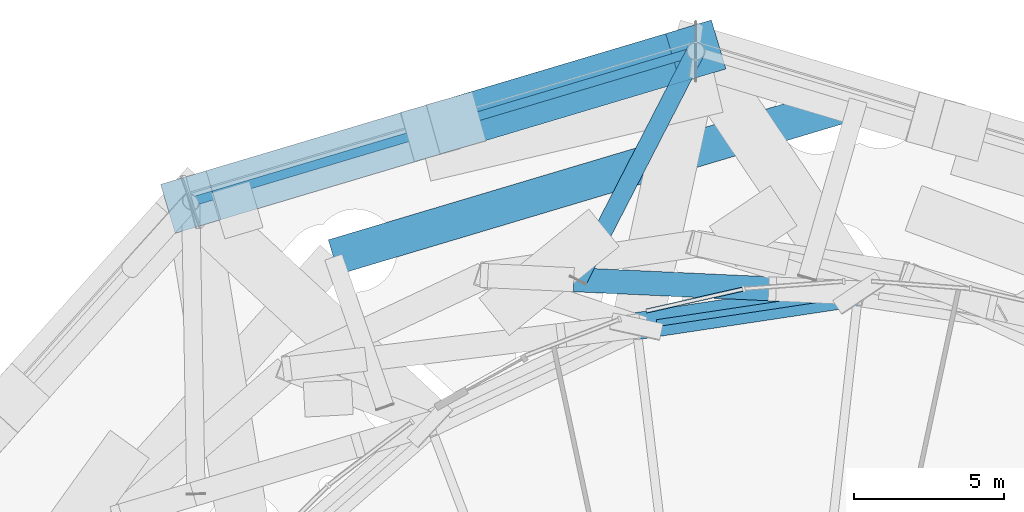
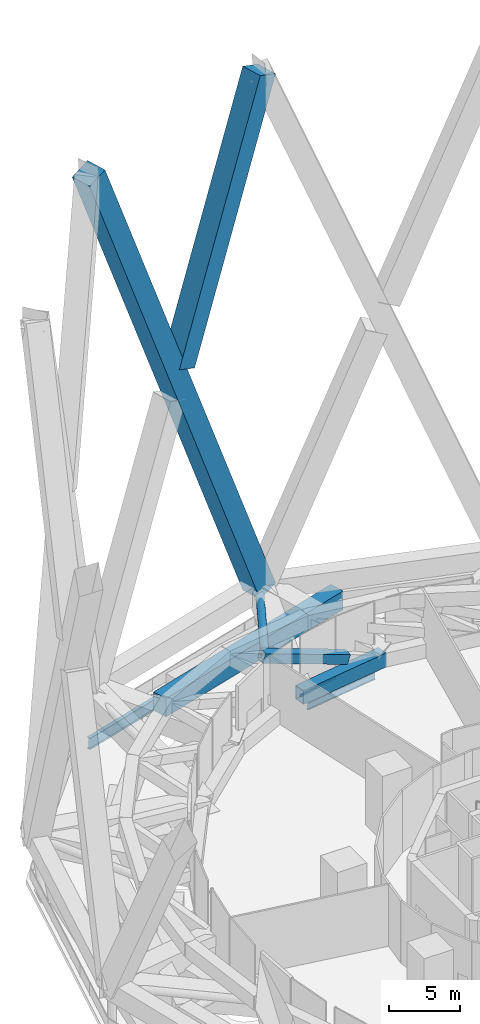
# One storey, part 33 of 51: 5 members, 4 beams, 1 element without a shape of its own.
"""IFC4 building model written with IfcOpenShell, lengths in metres."""

import ifcopenshell
import ifcopenshell.guid

model = None  # the IFC model being written
_history = None  # IfcOwnerHistory: only IFC2X3 demands one
_inside = {}  # id of a spatial element -> (the spatial element, [elements in it])
_under = {}  # id of a project, library or spatial element -> (it, [spatial elements below it])
_declared = {}  # id of a project -> (the project, [libraries it declares])
_typed = {}  # id of a type object -> (the type object, [elements of that type])
_made_of = {}  # id of a material, layer set ... -> (it, [elements and type objects made of it])


def new_model(schema):
    """Start an empty IFC model of exactly this schema.

    Asked for "IFC4X3", IfcOpenShell would pick the latest addendum, in which some entities
    have other attributes; the version numbers below select the first issue.
    IFC2X3 requires an IfcOwnerHistory on every rooted entity: one is made here for all.
    """
    global model, _history
    if schema == "IFC4X3":
        model = ifcopenshell.file(schema_version=(4, 3, 0, 0))
    else:
        model = ifcopenshell.file(schema=schema)
    _inside.clear()
    _under.clear()
    _declared.clear()
    _typed.clear()
    _made_of.clear()
    _history = None
    if model.schema == "IFC2X3":
        org = make("IfcOrganization", Name="unknown")
        user = make(
            "IfcPersonAndOrganization",
            ThePerson=make("IfcPerson", FamilyName="unknown"),
            TheOrganization=org,
        )
        app = make(
            "IfcApplication",
            ApplicationDeveloper=org,
            Version="unknown",
            ApplicationFullName="unknown",
            ApplicationIdentifier="unknown",
        )
        _history = make(
            "IfcOwnerHistory",
            OwningUser=user,
            OwningApplication=app,
            ChangeAction="ADDED",
            CreationDate=0,
        )
    return model


def make(cls, **values):
    """One entity of the class cls with the attributes given. An attribute that is None is left unset."""
    return model.create_entity(
        cls, **{name: value for name, value in values.items() if value is not None}
    )


def rooted(cls, **values):
    """An entity with a GlobalId (a new one), such as an element, a storey or a relation."""
    return make(cls, GlobalId=ifcopenshell.guid.new(), OwnerHistory=_history, **values)


def si_unit(unit_type, name, prefix=None):
    """IfcSIUnit, for example si_unit("LENGTHUNIT", "METRE", prefix="MILLI")."""
    return make("IfcSIUnit", UnitType=unit_type, Prefix=prefix, Name=name)


def assignment(units):
    """IfcUnitAssignment: the units of a project."""
    return None if units is None else make("IfcUnitAssignment", Units=units)


def point(xyz):
    """IfcCartesianPoint."""
    return None if xyz is None else make("IfcCartesianPoint", Coordinates=xyz)


def direction(xyz):
    """IfcDirection."""
    return None if xyz is None else make("IfcDirection", DirectionRatios=xyz)


def frame(location, z_axis=None, x_axis=None):
    """IfcAxis2Placement3D, a coordinate frame: its origin and axes. An axis left out is left unset."""
    return make(
        "IfcAxis2Placement3D",
        Location=point(location),
        Axis=direction(z_axis),
        RefDirection=direction(x_axis),
    )


def frame_2d(location, x_axis=None):
    """IfcAxis2Placement2D, a coordinate frame in the plane: its origin and x axis."""
    return make(
        "IfcAxis2Placement2D", Location=point(location), RefDirection=direction(x_axis)
    )


def origin():
    """The frame at (0, 0, 0) with its axes left unset."""
    return frame((0.0, 0.0, 0.0))


def origin_2d():
    """The frame at (0, 0) in the plane with its x axis left unset."""
    return frame_2d((0.0, 0.0))


def place(relative_to, where):
    """IfcLocalPlacement: puts the frame where relative to a parent placement (None: the world)."""
    return make(
        "IfcLocalPlacement", PlacementRelTo=relative_to, RelativePlacement=where
    )


def context(
    kind, dimensions, precision=None, world=None, true_north=None, identifier=None
):
    """IfcGeometricRepresentationContext, for example the 3D "Model" context."""
    return make(
        "IfcGeometricRepresentationContext",
        ContextIdentifier=identifier,
        ContextType=kind,
        CoordinateSpaceDimension=dimensions,
        Precision=precision,
        WorldCoordinateSystem=world,
        TrueNorth=true_north,
    )


def subcontext(parent, identifier, kind, view, scale=None):
    """IfcGeometricRepresentationSubContext, for example "Body" below "Model"."""
    return make(
        "IfcGeometricRepresentationSubContext",
        ContextIdentifier=identifier,
        ContextType=kind,
        ParentContext=parent,
        TargetScale=scale,
        TargetView=view,
    )


def project(units=None, contexts=None):
    """IfcProject with its units and contexts."""
    return rooted(
        "IfcProject",
        Name="project",
        RepresentationContexts=contexts,
        UnitsInContext=assignment(units),
    )


def spatial(cls, under=None, at=None, **own):
    """A site, building, storey or space (cls), placed at a placement, below another one or the project."""
    s = rooted(cls, ObjectPlacement=at, **own)
    if under is not None:
        _under.setdefault(under.id(), (under, []))[1].append(s)
    return s


def profile(cls, at=None, kind="AREA", **sizes):
    """A parametric profile (cls). Its sizes go by their IFC names, for example OverallWidth=200.0."""
    return make(cls, ProfileType=kind, Position=at, **sizes)


def rectangle(**sizes):
    """IfcRectangleProfileDef."""
    return profile("IfcRectangleProfileDef", **sizes)


def hollow_rectangle(**sizes):
    """IfcRectangleHollowProfileDef."""
    return profile("IfcRectangleHollowProfileDef", **sizes)


def hollow_circle(**sizes):
    """IfcCircleHollowProfileDef."""
    return profile("IfcCircleHollowProfileDef", **sizes)


def i_section(**sizes):
    """IfcIShapeProfileDef."""
    return profile("IfcIShapeProfileDef", **sizes)


def extrude(swept, where, along, depth):
    """IfcExtrudedAreaSolid: the profile swept, set in the frame where, extruded along a direction by depth."""
    return make(
        "IfcExtrudedAreaSolid",
        SweptArea=swept,
        Position=where,
        ExtrudedDirection=direction(along),
        Depth=depth,
    )


def shape(context_of_items, identifier, shape_type, items):
    """IfcShapeRepresentation: the items that make up one representation, for example the "Body"."""
    return make(
        "IfcShapeRepresentation",
        ContextOfItems=context_of_items,
        RepresentationIdentifier=identifier,
        RepresentationType=shape_type,
        Items=items,
    )


def material(Name=None, Category=None):
    """IfcMaterial."""
    return make("IfcMaterial", Name=Name, Category=Category)


def layer(
    of_material, thickness, ventilated=None, Name=None, Category=None, Priority=None
):
    """IfcMaterialLayer: one layer of a wall or slab, of a material (None: an air gap)."""
    return make(
        "IfcMaterialLayer",
        Material=of_material,
        LayerThickness=thickness,
        IsVentilated=ventilated,
        Name=Name,
        Category=Category,
        Priority=Priority,
    )


def layer_set(layers, Name=None):
    """IfcMaterialLayerSet."""
    return make("IfcMaterialLayerSet", MaterialLayers=layers, LayerSetName=Name)


def material_profile(
    of_material, cross_section, Name=None, Category=None, Priority=None
):
    """IfcMaterialProfile: a cross section and its material."""
    return make(
        "IfcMaterialProfile",
        Name=Name,
        Material=of_material,
        Profile=cross_section,
        Priority=Priority,
        Category=Category,
    )


def profile_set(profiles, Name=None, composite=None):
    """IfcMaterialProfileSet."""
    return make(
        "IfcMaterialProfileSet",
        Name=Name,
        MaterialProfiles=profiles,
        CompositeProfile=composite,
    )


def made_of(thing, what):
    """Note that an element or type object is made of a material, layer set ...; save() writes the relation."""
    if what is not None:
        _made_of.setdefault(what.id(), (what, []))[1].append(thing)
    return thing


def type_object(cls, material=None, **own):
    """A type object (cls), such as IfcWallType, which elements share."""
    return made_of(rooted(cls, **own), material)


def element(
    cls,
    number,
    at=None,
    inside=None,
    cuts=None,
    type_object=None,
    material=None,
    context=None,
    identifier="Body",
    shape_type=None,
    held_by="IfcProductDefinitionShape",
    body=None,
    shapes=None,
    **own,
):
    """One element of the class cls, such as IfcWall. Its Tag is "e" and its number.

    at: its placement. inside: the storey or other place that contains it. cuts: it is an
    opening in that element (IfcRelVoidsElement). A single representation is given by context,
    identifier, shape_type and body (its items); several are given by shapes. held_by: the class
    of the entity that holds the representations. save() writes the other relations.
    """
    e = rooted(cls, Tag="e%d" % number, ObjectPlacement=at, **own)
    if body is not None:
        shapes = [shape(context, identifier, shape_type, body)]
    if shapes is not None:
        e.Representation = make(held_by, Representations=shapes)
    if inside is not None:
        _inside.setdefault(inside.id(), (inside, []))[1].append(e)
    if cuts is not None:
        rooted(
            "IfcRelVoidsElement", RelatingBuildingElement=cuts, RelatedOpeningElement=e
        )
    if type_object is not None:
        _typed.setdefault(type_object.id(), (type_object, []))[1].append(e)
    return made_of(e, material)


def aggregate(whole, parts):
    """IfcRelAggregates: a whole, such as a stair, and the parts it consists of."""
    return rooted("IfcRelAggregates", RelatingObject=whole, RelatedObjects=parts)


def save(model, path):
    """Write the relations noted so far, then the file.

    IfcRelAggregates (storeys below a building ...), IfcRelContainedInSpatialStructure (elements
    in a storey), IfcRelDefinesByType, IfcRelAssociatesMaterial and IfcRelDeclares: one each for
    every whole, place, type object, material and project.
    """
    for whole, parts in _under.values():
        aggregate(whole, parts)
    for where, things in _inside.values():
        rooted(
            "IfcRelContainedInSpatialStructure",
            RelatedElements=things,
            RelatingStructure=where,
        )
    for kind, things in _typed.values():
        rooted("IfcRelDefinesByType", RelatedObjects=things, RelatingType=kind)
    for what, things in _made_of.values():
        rooted("IfcRelAssociatesMaterial", RelatedObjects=things, RelatingMaterial=what)
    for by, libraries in _declared.values():
        rooted("IfcRelDeclares", RelatingContext=by, RelatedDefinitions=libraries)
    model.write(path)


model = new_model("IFC4")

# Units and contexts
model_context = context("Model", 3, precision=1e-05, world=origin(), true_north=direction((0.0, 1.0)))
body_context = subcontext(model_context, "Body", "Model", "MODEL_VIEW")
ifc_project = project(units=[si_unit("LENGTHUNIT", "METRE"), si_unit("AREAUNIT", "SQUARE_METRE"), si_unit("VOLUMEUNIT", "CUBIC_METRE"), si_unit("PLANEANGLEUNIT", "RADIAN"), si_unit("MASSUNIT", "GRAM", prefix="KILO")], contexts=[model_context])

# Site, building, storey
site_placement = place(None, origin())
site = spatial("IfcSite", under=ifc_project, at=site_placement, CompositionType="ELEMENT")
building_placement = place(site_placement, origin())
building = spatial("IfcBuilding", under=site, at=building_placement, Name="Nagisa Residences", CompositionType="ELEMENT")
storey_placement = place(building_placement, frame((0.0, 0.0, 67.699951171875)))
storey = spatial("IfcBuildingStorey", under=building, at=storey_placement, Name="L16", CompositionType="ELEMENT", Elevation=67.699951171875)

# Beams
ifc_material_1 = material(Name="Steel ASTM A572 Gr 50", Category="steel")
ifc_material_profile_1 = material_profile(ifc_material_1, hollow_rectangle(XDim=0.89990234375, YDim=1.199951171875, WallThickness=0.050048828125, at=origin_2d()), Name="BX 900x1200x50")
ifc_profile_set_1 = profile_set([ifc_material_profile_1], Name="Steel ASTM A572 Gr 50")
beam_type_1 = type_object("IfcBeamType", Name="Belt chord 1 BX 900x1200x50", PredefinedType="BEAM", material=ifc_profile_set_1)
beam_1_placement = place(storey_placement, frame((3.60009765625, 32.5, 0.60009765625), z_axis=(-0.988917619014, -0.148465291582, 0.0), x_axis=(0.148465291582, -0.988917619014, 0.0)))
element("IfcBeam", 1, at=beam_1_placement, inside=storey, type_object=beam_type_1, Name="beam:L16:bt1b07", PredefinedType="BEAM", context=body_context, shape_type="SweptSolid", body=[
    extrude(hollow_rectangle(XDim=0.89990234375, YDim=1.199951171875, WallThickness=0.050048828125, at=origin_2d()), origin(), (0.0, 0.0, 1.0), 7.459228515625),
])
ifc_material_2 = material(Name="Steel ASTM A572 Gr 50", Category="steel")
ifc_material_profile_2 = material_profile(ifc_material_2, hollow_rectangle(XDim=0.800048828125, YDim=0.800048828125, WallThickness=0.044921875, at=origin_2d()), Name="BX 800x800x45")
ifc_profile_set_2 = profile_set([ifc_material_profile_2], Name="Steel ASTM A572 Gr 50")
beam_type_2 = type_object("IfcBeamType", Name="Belt diagonal 1 BX 800x800x45", PredefinedType="BEAM", material=ifc_profile_set_2)
beam_2_placement = place(storey_placement, frame((0.745849609375, 32.632080078125, 1.550048828125), z_axis=(-0.947912579196, 0.043910630958, 0.315489458923), x_axis=(-0.046273880551, -0.998928790244, 0.0)))
element("IfcBeam", 2, at=beam_2_placement, inside=storey, type_object=beam_type_2, Name="beam:L16:bt1db07", PredefinedType="BEAM", context=body_context, shape_type="SweptSolid", body=[
    extrude(hollow_rectangle(XDim=0.800048828125, YDim=0.800048828125, WallThickness=0.044921875, at=origin_2d()), origin(), (0.0, 0.0, 1.0), 7.10009765625),
])

# Curtain wall, member
ifc_material_3 = material(Name="Aluminium curtain wall system", Category="aluminium")
ifc_layer = layer(ifc_material_3, 0.159912109375)
ifc_layer_set = layer_set([ifc_layer], Name="CW2 CURTAIN WALL")
curtain_wall_type = type_object("IfcCurtainWallType", Name="CW2 CURTAIN WALL", PredefinedType="NOTDEFINED", material=ifc_layer_set)
curtain_wall_placement = place(storey_placement, origin())
curtain_wall = element("IfcCurtainWall", 3, at=curtain_wall_placement, inside=storey, type_object=curtain_wall_type, Name="cw:CW2:L16:13", PredefinedType="NOTDEFINED")
ifc_material_4 = material(Name="Aluminium", Category="aluminium")
ifc_material_profile_3 = material_profile(ifc_material_4, rectangle(XDim=0.139892578125, YDim=0.179931640625, at=origin_2d()), Name="CW2 TRANSOM 140x180")
ifc_profile_set_3 = profile_set([ifc_material_profile_3], Name="Aluminium")
member_type_1 = type_object("IfcMemberType", Name="CW2 TRANSOM 140x180", PredefinedType="USERDEFINED", material=ifc_profile_set_3)
member_1_placement = place(storey_placement, frame((-0.16748046875, 32.6396484375, 0.090087890625), z_axis=(-0.975336292363, -0.2207240739, 0.0), x_axis=(0.2207240739, -0.975336292363, 0.0)))
member_1 = element("IfcMember", 4, at=member_1_placement, type_object=member_type_1, Name="CW2 transom", ObjectType="TRANSOM", PredefinedType="USERDEFINED", context=body_context, shape_type="SweptSolid", body=[
    extrude(rectangle(XDim=0.139892578125, YDim=0.179931640625, at=origin_2d()), origin(), (0.0, 0.0, 1.0), 3.36474609375),
])
aggregate(curtain_wall, [member_1])

# Members
ifc_material_5 = material(Name="Concrete C80", Category="concrete")
ifc_material_profile_4 = material_profile(ifc_material_5, rectangle(XDim=1.699951171875, YDim=1.699951171875, at=origin_2d()), Name="C80 1700x1700")
ifc_profile_set_4 = profile_set([ifc_material_profile_4], Name="Concrete C80")
member_type_2 = type_object("IfcMemberType", Name="Cage diagonal 2 C80 1700x1700", PredefinedType="BRACE", material=ifc_profile_set_4)
member_2_placement = place(storey_placement, frame((-1.800048828125, 40.53271484375, 3.699951171875), z_axis=(-0.351202707662, -0.104806459023, 0.930415103208), x_axis=(0.285959942538, -0.958241572498, 0.0)))
element("IfcMember", 5, at=member_2_placement, inside=storey, type_object=member_type_2, Name="mem:L16:cg2d007", PredefinedType="BRACE", context=body_context, shape_type="SweptSolid", body=[
    extrude(rectangle(XDim=1.699951171875, YDim=1.699951171875, at=origin_2d()), origin(), (0.0, 0.0, 1.0), 47.828125),
])
member_3_placement = place(storey_placement, frame((-9.76806640625, 38.15478515625, 27.091064453125), z_axis=(0.351205238436, 0.104811686808, 0.930413559017), x_axis=(-0.285971147664, 0.958238228575, 0.0)))
element("IfcMember", 6, at=member_3_placement, inside=storey, type_object=member_type_2, Name="mem:L16:cg2d008b", PredefinedType="BRACE", context=body_context, shape_type="SweptSolid", body=[
    extrude(rectangle(XDim=1.699951171875, YDim=1.699951171875, at=origin_2d()), origin(), (0.0, 0.0, 1.0), 22.687744140625),
])
ifc_material_6 = material(Name="Concrete C80", Category="concrete")
ifc_material_profile_5 = material_profile(ifc_material_6, rectangle(XDim=1.199951171875, YDim=1.60009765625, at=origin_2d()), Name="C80 1200x1600")
ifc_profile_set_5 = profile_set([ifc_material_profile_5], Name="Concrete C80")
member_type_3 = type_object("IfcMemberType", Name="Cage ring 1 C80 1200x1600", PredefinedType="CHORD", material=ifc_profile_set_5)
member_4_placement = place(storey_placement, frame((3.60009765625, 38.89990234375, 1.900146484375), z_axis=(-0.958182701553, -0.28615714292, 0.0), x_axis=(0.28615714292, -0.958182701553, 0.0)))
element("IfcMember", 7, at=member_4_placement, inside=storey, type_object=member_type_3, Name="beam:L16:cg1r204", PredefinedType="CHORD", context=body_context, shape_type="SweptSolid", body=[
    extrude(rectangle(XDim=1.199951171875, YDim=1.60009765625, at=origin_2d()), origin(), (0.0, 0.0, 1.0), 18.211669921875),
])
ifc_material_7 = material(Name="Steel ASTM A572 Gr 65", Category="steel")
ifc_material_profile_6 = material_profile(ifc_material_7, hollow_circle(Radius=0.304931640625, WallThickness=0.02490234375, at=origin_2d()), Name="CHS 610x25")
ifc_profile_set_6 = profile_set([ifc_material_profile_6], Name="Steel ASTM A572 Gr 65")
member_type_4 = type_object("IfcMemberType", Name="Cage strut CHS 610x25", PredefinedType="STRUT", material=ifc_profile_set_6)
member_5_placement = place(storey_placement, frame((-1.800048828125, 40.53271484375, 3.699951171875), z_axis=(-0.457758954761, -0.889076340556, 0.0), x_axis=(0.889076340556, -0.457758954761, 0.0)))
element("IfcMember", 8, at=member_5_placement, inside=storey, type_object=member_type_4, Name="mem:L16:bt1st2b04", PredefinedType="STRUT", context=body_context, shape_type="SweptSolid", body=[
    extrude(hollow_circle(Radius=0.304931640625, WallThickness=0.02490234375, at=origin_2d()), origin(), (0.0, 0.0, 1.0), 8.550048828125),
])

# Beams
ifc_material_8 = material(Name="Steel ASTM A572 Gr 50", Category="steel")
ifc_material_profile_7 = material_profile(ifc_material_8, i_section(OverallWidth=0.300048828125, OverallDepth=0.97998046875, WebThickness=0.0166015625, FlangeThickness=0.02587890625, at=origin_2d()), Name="W1000x249")
ifc_profile_set_7 = profile_set([ifc_material_profile_7], Name="Steel ASTM A572 Gr 50")
beam_type_3 = type_object("IfcBeamType", Name="Deck edge beam W1000x249", PredefinedType="BEAM", material=ifc_profile_set_7)
beam_3_placement = place(storey_placement, frame((-1.800048828125, 40.53271484375, -0.889892578125), z_axis=(-0.958241572498, -0.285959942538, 0.0), x_axis=(0.285959942538, -0.958241572498, 0.0)))
element("IfcBeam", 9, at=beam_3_placement, inside=storey, type_object=beam_type_3, Name="beam:L16:deckedge04", PredefinedType="BEAM", context=body_context, shape_type="SweptSolid", body=[
    extrude(i_section(OverallWidth=0.300048828125, OverallDepth=0.97998046875, WebThickness=0.0166015625, FlangeThickness=0.02587890625, at=origin_2d()), origin(), (0.0, 0.0, 1.0), 17.529296875),
])
ifc_material_9 = material(Name="Steel ASTM A572 Gr 50", Category="steel")
ifc_material_profile_8 = material_profile(ifc_material_9, i_section(OverallWidth=0.22900390625, OverallDepth=0.612060546875, WebThickness=0.011962890625, FlangeThickness=0.01953125, at=origin_2d()), Name="W610x125")
ifc_profile_set_8 = profile_set([ifc_material_profile_8], Name="Steel ASTM A572 Gr 50")
beam_type_4 = type_object("IfcBeamType", Name="Perimeter ring beam W610x125", PredefinedType="BEAM", material=ifc_profile_set_8)
beam_4_placement = place(storey_placement, frame((2.919677734375, 32.39794921875, -0.656005859375), z_axis=(-0.988914559467, -0.14848566959, 0.0), x_axis=(0.14848566959, -0.988914559467, 0.0)))
element("IfcBeam", 10, at=beam_4_placement, inside=storey, type_object=beam_type_4, Name="beam:L16:pb07", PredefinedType="BEAM", context=body_context, shape_type="SweptSolid", body=[
    extrude(i_section(OverallWidth=0.22900390625, OverallDepth=0.612060546875, WebThickness=0.011962890625, FlangeThickness=0.01953125, at=origin_2d()), origin(), (0.0, 0.0, 1.0), 6.08349609375),
])

save(model, "model.ifc")
